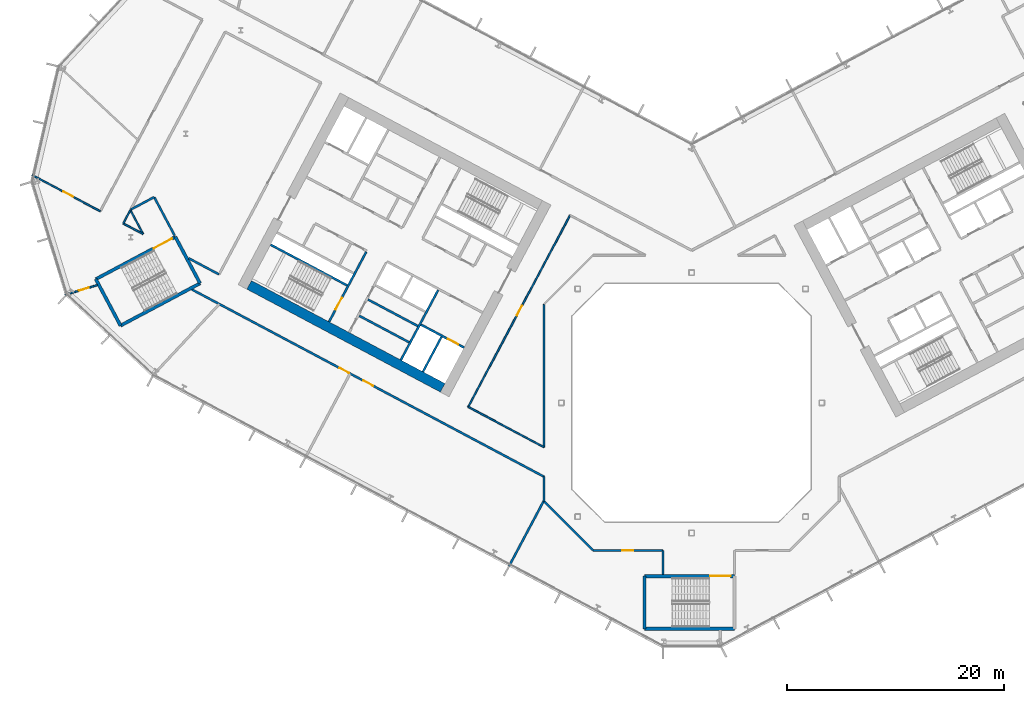
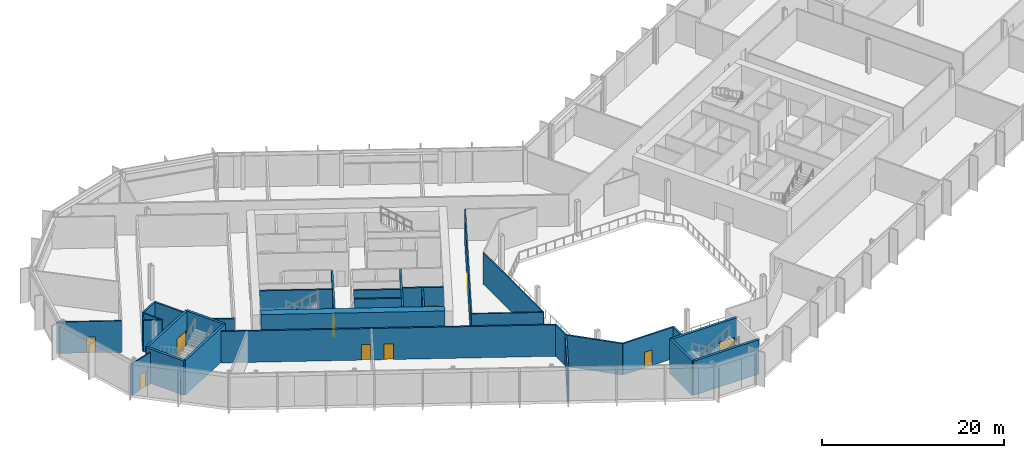
# One storey, part 13 of 32: 32 walls, 10 doors, 10 openings.
"""IFC4 building model written with IfcOpenShell, lengths in metres."""

from ifc_helpers import new_model, si_unit, direction, frame, frame_2d, origin, place, context, subcontext, project, spatial, rectangle, extrude, material, layer, layer_set, type_object, element, fill, save


model = new_model("IFC4")

# Units and contexts
model_context = context("Model", 3, precision=1e-05, world=origin(), true_north=direction((0.0, 1.0)))
body_context = subcontext(model_context, "Body", "Model", "MODEL_VIEW")
ifc_project = project(units=[si_unit("LENGTHUNIT", "METRE"), si_unit("AREAUNIT", "SQUARE_METRE"), si_unit("VOLUMEUNIT", "CUBIC_METRE"), si_unit("PLANEANGLEUNIT", "RADIAN"), si_unit("MASSUNIT", "GRAM", prefix="KILO")], contexts=[model_context])

# Site, building, storey
site_placement = place(None, origin())
site = spatial("IfcSite", under=ifc_project, at=site_placement, CompositionType="ELEMENT")
building_placement = place(site_placement, origin())
building = spatial("IfcBuilding", under=site, at=building_placement, Name="Cormorant Relay Tower", CompositionType="ELEMENT")
storey_placement = place(building_placement, frame((0.0, 0.0, 70.800048828125)))
storey = spatial("IfcBuildingStorey", under=building, at=storey_placement, Name="L13", CompositionType="ELEMENT", Elevation=70.800048828125)

# Walls
ifc_material_1 = material(Name="Concrete 40 MPa", Category="concrete")
ifc_layer_1 = layer(ifc_material_1, 0.199951171875)
ifc_layer_set_1 = layer_set([ifc_layer_1], Name="Core internal wall 200")
wall_type_1 = type_object("IfcWallType", Name="Core internal wall 200", PredefinedType="SOLIDWALL", material=ifc_layer_set_1)
for number, where, z_axis, x_axis, name in (
    (1, (-25.232421875, 7.073974609375, 0.0), (0.0, 0.0, 1.0), (-0.882953967957, 0.469459572775, 0.0), "L13 core A shaft and room wall"),
    (2, (-26.030517578125, 5.572998046875, 0.0), (0.0, 0.0, 1.0), (-0.882953967957, 0.469459572775, 0.0), "L13 core A shaft and room wall"),
):
    element("IfcWall", number, at=place(storey_placement, frame(where, z_axis=z_axis, x_axis=x_axis)), inside=storey, type_object=wall_type_1, Name=name, PredefinedType="SOLIDWALL", context=body_context, shape_type="SweptSolid", body=[
        extrude(rectangle(XDim=5.199951171875, YDim=0.199951171875, at=frame_2d((2.60009765625, 0.0))), origin(), (0.0, 0.0, 1.0), 4.599853515625),
    ])
ifc_material_2 = material(Name="Concrete 50 MPa", Category="concrete")
ifc_layer_2 = layer(ifc_material_2, 0.199951171875)
ifc_layer_set_2 = layer_set([ifc_layer_2], Name="Core shaft wall 200")
wall_type_2 = type_object("IfcWallType", Name="Core shaft wall 200", PredefinedType="SHEAR", material=ifc_layer_set_2)
wall_1_placement = place(storey_placement, frame((-23.04296875, 6.07958984375, 0.0), z_axis=(0.0, 0.0, 1.0), x_axis=(-0.469494272526, -0.882935517501, 0.0)))
element("IfcWall", 3, at=wall_1_placement, inside=storey, type_object=wall_type_2, Name="L13 core A shaft wall", PredefinedType="SHEAR", context=body_context, shape_type="SweptSolid", body=[
    extrude(rectangle(XDim=3.64990234375, YDim=0.199951171875, at=frame_2d((1.824951171875, 0.0))), origin(), (0.0, 0.0, 1.0), 4.599853515625),
])
wall_2_placement = place(storey_placement, frame((-23.360107421875, 10.38232421875, 0.0), z_axis=(0.0, 0.0, 1.0), x_axis=(-0.469480409012, -0.88294288918, 0.0)))
element("IfcWall", 4, at=wall_2_placement, inside=storey, type_object=wall_type_2, Name="L13 core A shaft wall", PredefinedType="SHEAR", context=body_context, shape_type="SweptSolid", body=[
    extrude(rectangle(XDim=7.300048828125, YDim=0.199951171875, at=frame_2d((3.64990234375, 0.0))), origin(), (0.0, 0.0, 1.0), 4.599853515625),
])

# Wall, opening, door
wall_3_placement = place(storey_placement, frame((-29.982421875, 13.9033203125, 0.0), z_axis=(0.0, 0.0, 1.0), x_axis=(-0.469454336211, -0.882956752176, 0.0)))
wall_3 = element("IfcWall", 5, at=wall_3_placement, inside=storey, type_object=wall_type_2, Name="L13 core A shaft wall", PredefinedType="SHEAR", context=body_context, shape_type="SweptSolid", body=[
    extrude(rectangle(XDim=7.300048828125, YDim=0.199951171875, at=frame_2d((3.64990234375, 0.0))), origin(), (0.0, 0.0, 1.0), 4.599853515625),
])
opening_1_placement = place(wall_3_placement, frame((4.800048828125, 0.0, 0.0)))
opening_1 = element("IfcOpeningElement", 6, at=opening_1_placement, cuts=wall_3, Name="Opening CDB-025", PredefinedType="OPENING", context=body_context, shape_type="SweptSolid", body=[
    extrude(rectangle(XDim=1.199951171875, YDim=2.10009765625, at=frame_2d((0.60009765625, 1.050048828125))), frame((0.0, 0.10986328125, 0.0), z_axis=(0.0, -1.0, 0.0), x_axis=(1.0, 0.0, 0.0)), (0.0, 0.0, 1.0), 0.219970703125),
])
ifc_material_3 = material(Name="Steel fire door", Category="steel")
door_type_1 = type_object("IfcDoorType", Name="Core stair door 1200x2100", OperationType="SINGLE_SWING_LEFT", PredefinedType="DOOR", material=ifc_material_3)
door_1_placement = place(opening_1_placement, frame((1.199951171875, 0.0, 0.0), z_axis=(0.0, 0.0, 1.0), x_axis=(-1.0, 0.0, 0.0)))
door_1 = element("IfcDoor", 7, at=door_1_placement, inside=storey, type_object=door_type_1, Name="Core stair door 1200x2100", OperationType="SINGLE_SWING_RIGHT", OverallHeight=2.10009765625, OverallWidth=1.199951171875, PredefinedType="DOOR", context=body_context, shape_type="SweptSolid", body=[
    extrude(rectangle(XDim=1.199951171875, YDim=2.10009765625, at=frame_2d((0.60009765625, 1.050048828125))), frame((0.0, 0.02490234375, 0.0), z_axis=(0.0, -1.0, 0.0), x_axis=(1.0, 0.0, 0.0)), (0.0, 0.0, 1.0), 0.050048828125),
])
fill(opening_1, door_1)

wall_4_placement = place(storey_placement, frame((-20.96533203125, 5.088134765625, 0.0), z_axis=(0.0, 0.0, 1.0), x_axis=(-0.882925986334, 0.469512196493, 0.0)))
wall_4 = element("IfcWall", 8, at=wall_4_placement, inside=storey, type_object=wall_type_2, Name="L13 core A shaft wall", PredefinedType="SHEAR", context=body_context, shape_type="SweptSolid", body=[
    extrude(rectangle(XDim=4.5, YDim=0.199951171875, at=frame_2d((2.25, 0.0))), origin(), (0.0, 0.0, 1.0), 4.599853515625),
])
opening_2_placement = place(wall_4_placement, frame((0.60009765625, 0.0, 0.0)))
opening_2 = element("IfcOpeningElement", 9, at=opening_2_placement, cuts=wall_4, Name="Opening LD1-027", PredefinedType="OPENING", context=body_context, shape_type="SweptSolid", body=[
    extrude(rectangle(XDim=1.10009765625, YDim=2.10009765625, at=frame_2d((0.550048828125, 1.050048828125))), frame((0.0, 0.10986328125, 0.0), z_axis=(0.0, -1.0, 0.0), x_axis=(1.0, 0.0, 0.0)), (0.0, 0.0, 1.0), 0.219970703125),
])
ifc_material_4 = material(Name="Stainless steel 316", Category="steel")
door_type_2 = type_object("IfcDoorType", Name="Lift landing door 1100x2100", OperationType="DOUBLE_DOOR_SLIDING", PredefinedType="DOOR", material=ifc_material_4)
door_2_placement = place(opening_2_placement, origin())
door_2 = element("IfcDoor", 10, at=door_2_placement, inside=storey, type_object=door_type_2, Name="FF1 landing door", OperationType="DOUBLE_DOOR_SLIDING", OverallHeight=2.10009765625, OverallWidth=1.10009765625, PredefinedType="DOOR", context=body_context, shape_type="SweptSolid", body=[
    extrude(rectangle(XDim=1.10009765625, YDim=2.10009765625, at=frame_2d((0.550048828125, 1.050048828125))), frame((0.0, 0.02490234375, 0.0), z_axis=(0.0, -1.0, 0.0), x_axis=(1.0, 0.0, 0.0)), (0.0, 0.0, 1.0), 0.050048828125),
])
fill(opening_2, door_2)

# Walls
wall_5_placement = place(storey_placement, frame((-31.7373046875, 10.815673828125, 0.0), z_axis=(0.0, 0.0, 1.0), x_axis=(-0.882940221191, 0.469485426614, 0.0)))
element("IfcWall", 11, at=wall_5_placement, inside=storey, type_object=wall_type_2, Name="L13 core A shaft wall", PredefinedType="SHEAR", context=body_context, shape_type="SweptSolid", body=[
    extrude(rectangle(XDim=8.0, YDim=0.199951171875, at=frame_2d((4.0, 0.0))), origin(), (0.0, 0.0, 1.0), 4.599853515625),
])
ifc_material_5 = material(Name="Concrete 70 MPa", Category="concrete")
ifc_layer_3 = layer(ifc_material_5, 0.89990234375)
ifc_layer_set_3 = layer_set([ifc_layer_3], Name="Core wall 900")
wall_type_3 = type_object("IfcWallType", Name="Core wall 900", PredefinedType="SHEAR", material=ifc_layer_set_3)
wall_6_placement = place(storey_placement, frame((-22.93701171875, 1.3798828125, 0.0), z_axis=(0.0, 0.0, 1.0), x_axis=(-0.88295276571, 0.46946183394, 0.0)))
element("IfcWall", 12, at=wall_6_placement, inside=storey, type_object=wall_type_3, Name="L13 core A wall", PredefinedType="SHEAR", context=body_context, shape_type="SweptSolid", body=[
    extrude(rectangle(XDim=20.199951171875, YDim=0.89990234375, at=frame_2d((10.10009765625, 0.0))), origin(), (0.0, 0.0, 1.0), 4.599853515625),
])
ifc_material_6 = material(Name="Fire-rated gypsum board partition")
ifc_layer_4 = layer(ifc_material_6, 0.199951171875)
ifc_layer_set_4 = layer_set([ifc_layer_4], Name="Fire-rated gypsum partition 200")
wall_type_4 = type_object("IfcWallType", Name="Fire-rated gypsum partition 200", PredefinedType="PARTITIONING", material=ifc_layer_set_4)
wall_7_placement = place(storey_placement, frame((-47.63720703125, 15.40869140625, 0.0), z_axis=(0.0, 0.0, 1.0), x_axis=(-0.469590790968, 0.882884187783, 0.0)))
element("IfcWall", 13, at=wall_7_placement, inside=storey, type_object=wall_type_4, Name="wall/L13/part/10", PredefinedType="PARTITIONING", context=body_context, shape_type="SweptSolid", body=[
    extrude(rectangle(XDim=4.015625, YDim=0.199951171875, at=frame_2d((2.0078125, 0.0))), origin(), (0.0, 0.0, 1.0), 4.199951171875),
])
wall_8_placement = place(storey_placement, frame((-49.52294921875, 18.9541015625, 0.0), z_axis=(0.0, 0.0, 1.0), x_axis=(-0.882767334528, -0.469810422501, 0.0)))
element("IfcWall", 14, at=wall_8_placement, inside=storey, type_object=wall_type_4, Name="wall/L13/part/11", PredefinedType="PARTITIONING", context=body_context, shape_type="SweptSolid", body=[
    extrude(rectangle(XDim=2.460693359375, YDim=0.199951171875, at=frame_2d((1.23046875, 0.0))), origin(), (0.0, 0.0, 1.0), 4.199951171875),
])
wall_9_placement = place(storey_placement, frame((-43.5439453125, 11.826904296875, 0.0), z_axis=(0.0, 0.0, 1.0), x_axis=(-0.88289413979, 0.469572079584, 0.0)))
element("IfcWall", 15, at=wall_9_placement, inside=storey, type_object=wall_type_4, Name="wall/L13/part/15", PredefinedType="PARTITIONING", context=body_context, shape_type="SweptSolid", body=[
    extrude(rectangle(XDim=3.16845703125, YDim=0.199951171875, at=frame_2d((1.584228515625, 0.0))), origin(), (0.0, 0.0, 1.0), 4.199951171875),
])
wall_10_placement = place(storey_placement, frame((-13.60009765625, -9.076904296875, 0.0), z_axis=(0.0, 0.0, 1.0), x_axis=(0.0, 1.0, 0.0)))
element("IfcWall", 16, at=wall_10_placement, inside=storey, type_object=wall_type_4, Name="wall/L13/part/16", PredefinedType="PARTITIONING", context=body_context, shape_type="SweptSolid", body=[
    extrude(rectangle(XDim=2.263916015625, YDim=0.199951171875, at=frame_2d((1.1318359375, 0.0))), origin(), (0.0, 0.0, 1.0), 4.199951171875),
])

# Wall, openings, doors
wall_11_placement = place(storey_placement, frame((-13.60009765625, -6.81298828125, 0.0), z_axis=(0.0, 0.0, 1.0), x_axis=(-0.882934546757, 0.469496098113, 0.0)))
wall_11 = element("IfcWall", 17, at=wall_11_placement, inside=storey, type_object=wall_type_4, Name="wall/L13/part/17", PredefinedType="PARTITIONING", context=body_context, shape_type="SweptSolid", body=[
    extrude(rectangle(XDim=36.757568359375, YDim=0.199951171875, at=frame_2d((18.37890625, 0.0))), origin(), (0.0, 0.0, 1.0), 4.199951171875),
])
opening_3_placement = place(wall_11_placement, frame((20.35009765625, 0.0, 0.0)))
opening_3 = element("IfcOpeningElement", 18, at=opening_3_placement, cuts=wall_11, Name="Opening FD1-081", PredefinedType="OPENING", context=body_context, shape_type="SweptSolid", body=[
    extrude(rectangle(XDim=1.0, YDim=2.10009765625, at=frame_2d((0.5, 1.050048828125))), frame((0.0, 0.10986328125, 0.0), z_axis=(0.0, -1.0, 0.0), x_axis=(1.0, 0.0, 0.0)), (0.0, 0.0, 1.0), 0.219970703125),
])
opening_4_placement = place(wall_11_placement, frame((17.85009765625, 0.0, 0.0)))
opening_4 = element("IfcOpeningElement", 19, at=opening_4_placement, cuts=wall_11, Name="Opening FD1-082", PredefinedType="OPENING", context=body_context, shape_type="SweptSolid", body=[
    extrude(rectangle(XDim=1.0, YDim=2.10009765625, at=frame_2d((0.5, 1.050048828125))), frame((0.0, 0.10986328125, 0.0), z_axis=(0.0, -1.0, 0.0), x_axis=(1.0, 0.0, 0.0)), (0.0, 0.0, 1.0), 0.219970703125),
])
ifc_material_7 = material(Name="Fire-rated steel door", Category="steel")
door_type_3 = type_object("IfcDoorType", Name="Fire door 1000 x 2100", OperationType="SINGLE_SWING_LEFT", PredefinedType="DOOR", material=ifc_material_7)
door_3_placement = place(opening_3_placement, origin())
door_3 = element("IfcDoor", 20, at=door_3_placement, inside=storey, type_object=door_type_3, Name="door/L13/18", OperationType="SINGLE_SWING_LEFT", OverallHeight=2.10009765625, OverallWidth=1.0, PredefinedType="DOOR", context=body_context, shape_type="SweptSolid", body=[
    extrude(rectangle(XDim=1.0, YDim=2.10009765625, at=frame_2d((0.5, 1.050048828125))), frame((0.0, 0.02490234375, 0.0), z_axis=(0.0, -1.0, 0.0), x_axis=(1.0, 0.0, 0.0)), (0.0, 0.0, 1.0), 0.050048828125),
])
fill(opening_3, door_3)
door_4_placement = place(opening_4_placement, origin())
door_4 = element("IfcDoor", 21, at=door_4_placement, inside=storey, type_object=door_type_3, Name="door/L13/19", OperationType="SINGLE_SWING_RIGHT", OverallHeight=2.10009765625, OverallWidth=1.0, PredefinedType="DOOR", context=body_context, shape_type="SweptSolid", body=[
    extrude(rectangle(XDim=1.0, YDim=2.10009765625, at=frame_2d((0.5, 1.050048828125))), frame((0.0, 0.02490234375, 0.0), z_axis=(0.0, -1.0, 0.0), x_axis=(1.0, 0.0, 0.0)), (0.0, 0.0, 1.0), 0.050048828125),
])
fill(opening_4, door_4)

# Walls
wall_12_placement = place(storey_placement, frame((-13.60009765625, -8.998046875, 0.0), z_axis=(0.0, 0.0, 1.0), x_axis=(-0.469531053644, -0.882915958438, 0.0)))
element("IfcWall", 22, at=wall_12_placement, inside=storey, type_object=wall_type_4, Name="wall/L13/part/20", PredefinedType="PARTITIONING", context=body_context, shape_type="SweptSolid", body=[
    extrude(rectangle(XDim=6.870361328125, YDim=0.199951171875, at=frame_2d((3.43505859375, 0.0))), origin(), (0.0, 0.0, 1.0), 4.199951171875),
])
wall_13_placement = place(storey_placement, frame((-13.60009765625, -9.076904296875, 0.0), z_axis=(0.0, 0.0, 1.0), x_axis=(0.707106781187, -0.707106781187, 0.0)))
element("IfcWall", 23, at=wall_13_placement, inside=storey, type_object=wall_type_4, Name="wall/L13/part/23", PredefinedType="PARTITIONING", context=body_context, shape_type="SweptSolid", body=[
    extrude(rectangle(XDim=6.396728515625, YDim=0.199951171875, at=frame_2d((3.1982421875, 0.0))), origin(), (0.0, 0.0, 1.0), 4.199951171875),
])
wall_14_placement = place(storey_placement, frame((-2.64892578125, -15.840087890625, 0.0), z_axis=(0.0, 0.0, 1.0), x_axis=(0.0, 1.0, 0.0)))
element("IfcWall", 24, at=wall_14_placement, inside=storey, type_object=wall_type_4, Name="wall/L13/part/25", PredefinedType="PARTITIONING", context=body_context, shape_type="SweptSolid", body=[
    extrude(rectangle(XDim=2.239990234375, YDim=0.199951171875, at=frame_2d((1.1201171875, 0.0))), origin(), (0.0, 0.0, 1.0), 4.199951171875),
])

# Wall, opening, door
wall_15_placement = place(storey_placement, frame((-2.64892578125, -13.60009765625, 0.0), z_axis=(0.0, 0.0, 1.0), x_axis=(-1.0, 0.0, 0.0)))
wall_15 = element("IfcWall", 25, at=wall_15_placement, inside=storey, type_object=wall_type_4, Name="wall/L13/part/26", PredefinedType="PARTITIONING", context=body_context, shape_type="SweptSolid", body=[
    extrude(rectangle(XDim=6.427978515625, YDim=0.199951171875, at=frame_2d((3.2138671875, 0.0))), origin(), (0.0, 0.0, 1.0), 4.199951171875),
])
opening_5_placement = place(wall_15_placement, frame((2.75, 0.0, 0.0)))
opening_5 = element("IfcOpeningElement", 26, at=opening_5_placement, cuts=wall_15, Name="Opening FD1-083", PredefinedType="OPENING", context=body_context, shape_type="SweptSolid", body=[
    extrude(rectangle(XDim=1.0, YDim=2.10009765625, at=frame_2d((0.5, 1.050048828125))), frame((0.0, 0.10986328125, 0.0), z_axis=(0.0, -1.0, 0.0), x_axis=(1.0, 0.0, 0.0)), (0.0, 0.0, 1.0), 0.219970703125),
])
door_5_placement = place(opening_5_placement, origin())
door_5 = element("IfcDoor", 27, at=door_5_placement, inside=storey, type_object=door_type_3, Name="door/L13/20", OperationType="SINGLE_SWING_LEFT", OverallHeight=2.10009765625, OverallWidth=1.0, PredefinedType="DOOR", context=body_context, shape_type="SweptSolid", body=[
    extrude(rectangle(XDim=1.0, YDim=2.10009765625, at=frame_2d((0.5, 1.050048828125))), frame((0.0, 0.02490234375, 0.0), z_axis=(0.0, -1.0, 0.0), x_axis=(1.0, 0.0, 0.0)), (0.0, 0.0, 1.0), 0.050048828125),
])
fill(opening_5, door_5)

ifc_material_8 = material(Name="Gypsum board partition")
ifc_layer_5 = layer(ifc_material_8, 0.14990234375)
ifc_layer_set_5 = layer_set([ifc_layer_5], Name="Gypsum board partition 150")
wall_type_5 = type_object("IfcWallType", Name="Gypsum board partition 150", PredefinedType="PARTITIONING", material=ifc_layer_set_5)
wall_16_placement = place(storey_placement, frame((-54.492919921875, 17.64892578125, 0.0), z_axis=(0.0, 0.0, 1.0), x_axis=(-0.882938254124, 0.469489125971, 0.0)))
wall_16 = element("IfcWall", 28, at=wall_16_placement, inside=storey, type_object=wall_type_5, Name="wall/L13/part/4", PredefinedType="PARTITIONING", context=body_context, shape_type="SweptSolid", body=[
    extrude(rectangle(XDim=7.127197265625, YDim=0.14990234375, at=frame_2d((3.5634765625, 0.0))), origin(), (0.0, 0.0, 1.0), 4.199951171875),
])
opening_6_placement = place(wall_16_placement, frame((2.85009765625, 0.0, 0.0)))
opening_6 = element("IfcOpeningElement", 29, at=opening_6_placement, cuts=wall_16, Name="Opening D1-029", PredefinedType="OPENING", context=body_context, shape_type="SweptSolid", body=[
    extrude(rectangle(XDim=1.0, YDim=2.10009765625, at=frame_2d((0.5, 1.050048828125))), frame((0.0, 0.0849609375, 0.0), z_axis=(0.0, -1.0, 0.0), x_axis=(1.0, 0.0, 0.0)), (0.0, 0.0, 1.0), 0.169921875),
])
ifc_material_9 = material(Name="Painted steel door", Category="steel")
door_type_4 = type_object("IfcDoorType", Name="Single door 1000 x 2100", OperationType="SINGLE_SWING_LEFT", PredefinedType="DOOR", material=ifc_material_9)
door_6_placement = place(opening_6_placement, frame((1.0, 0.0, 0.0), z_axis=(0.0, 0.0, 1.0), x_axis=(-1.0, 0.0, 0.0)))
door_6 = element("IfcDoor", 30, at=door_6_placement, inside=storey, type_object=door_type_4, Name="door/L13/2", OperationType="SINGLE_SWING_RIGHT", OverallHeight=2.10009765625, OverallWidth=1.0, PredefinedType="DOOR", context=body_context, shape_type="SweptSolid", body=[
    extrude(rectangle(XDim=1.0, YDim=2.10009765625, at=frame_2d((0.5, 1.050048828125))), frame((0.0, 0.02490234375, 0.0), z_axis=(0.0, -1.0, 0.0), x_axis=(1.0, 0.0, 0.0)), (0.0, 0.0, 1.0), 0.050048828125),
])
fill(opening_6, door_6)

wall_17_placement = place(storey_placement, frame((-54.7607421875, 10.847900390625, 0.0), z_axis=(0.0, 0.0, 1.0), x_axis=(-0.956301064033, -0.29238378021, 0.0)))
wall_17 = element("IfcWall", 31, at=wall_17_placement, inside=storey, type_object=wall_type_5, Name="wall/L13/part/5", PredefinedType="PARTITIONING", context=body_context, shape_type="SweptSolid", body=[
    extrude(rectangle(XDim=3.115478515625, YDim=0.14990234375, at=frame_2d((1.5576171875, 0.0))), origin(), (0.0, 0.0, 1.0), 4.199951171875),
])
opening_7_placement = place(wall_17_placement, frame((0.820068359375, 0.0, 0.0)))
opening_7 = element("IfcOpeningElement", 32, at=opening_7_placement, cuts=wall_17, Name="Opening D2-012", PredefinedType="OPENING", context=body_context, shape_type="SweptSolid", body=[
    extrude(rectangle(XDim=0.949951171875, YDim=2.10009765625, at=frame_2d((0.47509765625, 1.050048828125))), frame((0.0, 0.0849609375, 0.0), z_axis=(0.0, -1.0, 0.0), x_axis=(1.0, 0.0, 0.0)), (0.0, 0.0, 1.0), 0.169921875),
])
ifc_material_10 = material(Name="Timber door", Category="wood")
door_type_5 = type_object("IfcDoorType", Name="Toilet door 950 x 2100", OperationType="SINGLE_SWING_LEFT", PredefinedType="DOOR", material=ifc_material_10)
door_7_placement = place(opening_7_placement, origin())
door_7 = element("IfcDoor", 33, at=door_7_placement, inside=storey, type_object=door_type_5, Name="door/L13/17", OperationType="SINGLE_SWING_RIGHT", OverallHeight=2.10009765625, OverallWidth=0.949951171875, PredefinedType="DOOR", context=body_context, shape_type="SweptSolid", body=[
    extrude(rectangle(XDim=0.949951171875, YDim=2.10009765625, at=frame_2d((0.47509765625, 1.050048828125))), frame((0.0, 0.02490234375, 0.0), z_axis=(0.0, -1.0, 0.0), x_axis=(1.0, 0.0, 0.0)), (0.0, 0.0, 1.0), 0.050048828125),
])
fill(opening_7, door_7)

# Walls
wall_18_placement = place(storey_placement, frame((-51.717041015625, 17.757080078125, 0.0), z_axis=(0.0, 0.0, 1.0), x_axis=(-0.469618761384, -0.882869310236, 0.0)))
element("IfcWall", 34, at=wall_18_placement, inside=storey, type_object=wall_type_5, Name="wall/L13/part/52", PredefinedType="PARTITIONING", context=body_context, shape_type="SweptSolid", body=[
    extrude(rectangle(XDim=1.39892578125, YDim=0.14990234375, at=frame_2d((0.699462890625, 0.0))), origin(), (0.0, 0.0, 1.0), 4.199951171875),
])
wall_19_placement = place(storey_placement, frame((-52.3740234375, 16.52197265625, 0.0), z_axis=(0.0, 0.0, 1.0), x_axis=(0.882981472085, -0.469407839682, 0.0)))
element("IfcWall", 35, at=wall_19_placement, inside=storey, type_object=wall_type_5, Name="wall/L13/part/53", PredefinedType="PARTITIONING", context=body_context, shape_type="SweptSolid", body=[
    extrude(rectangle(XDim=2.072509765625, YDim=0.14990234375, at=frame_2d((1.0361328125, 0.0))), origin(), (0.0, 0.0, 1.0), 4.199951171875),
])
wall_20_placement = place(storey_placement, frame((-50.5439453125, 15.549072265625, 0.0), z_axis=(0.0, 0.0, 1.0), x_axis=(-0.469183782948, 0.883100547967, 0.0)))
element("IfcWall", 36, at=wall_20_placement, inside=storey, type_object=wall_type_5, Name="wall/L13/part/54", PredefinedType="PARTITIONING", context=body_context, shape_type="SweptSolid", body=[
    extrude(rectangle(XDim=2.500244140625, YDim=0.14990234375, at=frame_2d((1.25, 0.0))), origin(), (0.0, 0.0, 1.0), 4.199951171875),
])

# Wall, opening, door
wall_21_placement = place(storey_placement, frame((-20.587890625, -0.37890625, 0.0), z_axis=(0.0, 0.0, 1.0), x_axis=(0.469489882812, 0.882937851685, 0.0)))
wall_21 = element("IfcWall", 37, at=wall_21_placement, inside=storey, type_object=wall_type_5, Name="wall/L13/part/55", PredefinedType="PARTITIONING", context=body_context, shape_type="SweptSolid", body=[
    extrude(rectangle(XDim=20.000244140625, YDim=0.14990234375, at=frame_2d((10.0, 0.0))), origin(), (0.0, 0.0, 1.0), 4.199951171875),
])
opening_8_placement = place(wall_21_placement, frame((9.550048828125, 0.0, 0.0)))
opening_8 = element("IfcOpeningElement", 38, at=opening_8_placement, cuts=wall_21, Name="Opening D1-031", PredefinedType="OPENING", context=body_context, shape_type="SweptSolid", body=[
    extrude(rectangle(XDim=1.0, YDim=2.10009765625, at=frame_2d((0.5, 1.050048828125))), frame((0.0, 0.0849609375, 0.0), z_axis=(0.0, -1.0, 0.0), x_axis=(1.0, 0.0, 0.0)), (0.0, 0.0, 1.0), 0.169921875),
])
door_8_placement = place(opening_8_placement, frame((1.0, 0.0, 0.0), z_axis=(0.0, 0.0, 1.0), x_axis=(-1.0, 0.0, 0.0)))
door_8 = element("IfcDoor", 39, at=door_8_placement, inside=storey, type_object=door_type_4, Name="door/L13/4", OperationType="SINGLE_SWING_LEFT", OverallHeight=2.10009765625, OverallWidth=1.0, PredefinedType="DOOR", context=body_context, shape_type="SweptSolid", body=[
    extrude(rectangle(XDim=1.0, YDim=2.10009765625, at=frame_2d((0.5, 1.050048828125))), frame((0.0, 0.02490234375, 0.0), z_axis=(0.0, -1.0, 0.0), x_axis=(1.0, 0.0, 0.0)), (0.0, 0.0, 1.0), 0.050048828125),
])
fill(opening_8, door_8)

# Walls
wall_22_placement = place(storey_placement, frame((-13.60009765625, 9.076904296875, 0.0), z_axis=(0.0, 0.0, 1.0), x_axis=(0.0, -1.0, 0.0)))
element("IfcWall", 40, at=wall_22_placement, inside=storey, type_object=wall_type_5, Name="wall/L13/part/59", PredefinedType="PARTITIONING", context=body_context, shape_type="SweptSolid", body=[
    extrude(rectangle(XDim=13.1708984375, YDim=0.14990234375, at=frame_2d((6.58544921875, 0.0))), origin(), (0.0, 0.0, 1.0), 4.199951171875),
])
wall_23_placement = place(storey_placement, frame((-13.60009765625, -4.093994140625, 0.0), z_axis=(0.0, 0.0, 1.0), x_axis=(-0.882967890474, 0.469433386533, 0.0)))
element("IfcWall", 41, at=wall_23_placement, inside=storey, type_object=wall_type_5, Name="wall/L13/part/60", PredefinedType="PARTITIONING", context=body_context, shape_type="SweptSolid", body=[
    extrude(rectangle(XDim=7.9140625, YDim=0.14990234375, at=frame_2d((3.95703125, 0.0))), origin(), (0.0, 0.0, 1.0), 4.199951171875),
])
ifc_material_11 = material(Name="Concrete 50 MPa", Category="concrete")
ifc_layer_6 = layer(ifc_material_11, 0.300048828125)
ifc_layer_set_6 = layer_set([ifc_layer_6], Name="Remote stair wall 300")
wall_type_6 = type_object("IfcWallType", Name="Remote stair wall 300", PredefinedType="SHEAR", material=ifc_layer_set_6)
wall_24_placement = place(storey_placement, frame((3.949951171875, -20.824951171875, 0.0), z_axis=(0.0, 0.0, 1.0), x_axis=(-1.0, 0.0, 0.0)))
element("IfcWall", 42, at=wall_24_placement, inside=storey, type_object=wall_type_6, Name="L13 exit stair RK1 wall", PredefinedType="SHEAR", context=body_context, shape_type="SweptSolid", body=[
    extrude(rectangle(XDim=8.300048828125, YDim=0.300048828125, at=frame_2d((4.14990234375, 0.0))), origin(), (0.0, 0.0, 1.0), 4.599853515625),
])
wall_25_placement = place(storey_placement, frame((-4.35009765625, -20.824951171875, 0.0), z_axis=(0.0, 0.0, 1.0), x_axis=(0.0, 1.0, 0.0)))
element("IfcWall", 43, at=wall_25_placement, inside=storey, type_object=wall_type_6, Name="L13 exit stair RK1 wall", PredefinedType="SHEAR", context=body_context, shape_type="SweptSolid", body=[
    extrude(rectangle(XDim=4.849853515625, YDim=0.300048828125, at=frame_2d((2.4248046875, 0.0))), origin(), (0.0, 0.0, 1.0), 4.599853515625),
])

# Wall, opening, door
wall_26_placement = place(storey_placement, frame((-4.35009765625, -15.97509765625, 0.0), z_axis=(0.0, 0.0, 1.0), x_axis=(1.0, 0.0, 0.0)))
wall_26 = element("IfcWall", 44, at=wall_26_placement, inside=storey, type_object=wall_type_6, Name="L13 exit stair RK1 wall", PredefinedType="SHEAR", context=body_context, shape_type="SweptSolid", body=[
    extrude(rectangle(XDim=8.300048828125, YDim=0.300048828125, at=frame_2d((4.14990234375, 0.0))), origin(), (0.0, 0.0, 1.0), 4.599853515625),
])
opening_9_placement = place(wall_26_placement, frame((6.050048828125, 0.0, 0.0)))
opening_9 = element("IfcOpeningElement", 45, at=opening_9_placement, cuts=wall_26, Name="Opening CDE-008", PredefinedType="OPENING", context=body_context, shape_type="SweptSolid", body=[
    extrude(rectangle(XDim=1.89990234375, YDim=2.10009765625, at=frame_2d((0.949951171875, 1.050048828125))), frame((0.0, 0.159912109375, 0.0), z_axis=(0.0, -1.0, 0.0), x_axis=(1.0, 0.0, 0.0)), (0.0, 0.0, 1.0), 0.320068359375),
])
ifc_material_12 = material(Name="Steel fire door", Category="steel")
door_type_6 = type_object("IfcDoorType", Name="Remote stair door 1900x2100", OperationType="DOUBLE_DOOR_SINGLE_SWING", PredefinedType="DOOR", material=ifc_material_12)
door_9_placement = place(opening_9_placement, frame((1.89990234375, 0.0, 0.0), z_axis=(0.0, 0.0, 1.0), x_axis=(-1.0, 0.0, 0.0)))
door_9 = element("IfcDoor", 46, at=door_9_placement, inside=storey, type_object=door_type_6, Name="Exit stair RK1 door", OperationType="DOUBLE_DOOR_SINGLE_SWING", OverallHeight=2.10009765625, OverallWidth=1.89990234375, PredefinedType="DOOR", context=body_context, shape_type="SweptSolid", body=[
    extrude(rectangle(XDim=1.89990234375, YDim=2.10009765625, at=frame_2d((0.949951171875, 1.050048828125))), frame((0.0, 0.02490234375, 0.0), z_axis=(0.0, -1.0, 0.0), x_axis=(1.0, 0.0, 0.0)), (0.0, 0.0, 1.0), 0.050048828125),
])
fill(opening_9, door_9)

# Walls
wall_27_placement = place(storey_placement, frame((-47.57421875, 15.28955078125, 0.0), z_axis=(0.0, 0.0, 1.0), x_axis=(0.469443498566, -0.882962514297, 0.0)))
element("IfcWall", 47, at=wall_27_placement, inside=storey, type_object=wall_type_6, Name="L13 exit stair RP1 wall", PredefinedType="SHEAR", context=body_context, shape_type="SweptSolid", body=[
    extrude(rectangle(XDim=4.85009765625, YDim=0.300048828125, at=frame_2d((2.425048828125, 0.0))), origin(), (0.0, 0.0, 1.0), 4.599853515625),
])
wall_28_placement = place(storey_placement, frame((-45.29736328125, 11.007080078125, 0.0), z_axis=(0.0, 0.0, 1.0), x_axis=(-0.882951519127, -0.469464178475, 0.0)))
element("IfcWall", 48, at=wall_28_placement, inside=storey, type_object=wall_type_6, Name="L13 exit stair RP1 wall", PredefinedType="SHEAR", context=body_context, shape_type="SweptSolid", body=[
    extrude(rectangle(XDim=8.2998046875, YDim=0.300048828125, at=frame_2d((4.14990234375, 0.0))), origin(), (0.0, 0.0, 1.0), 4.599853515625),
])
wall_29_placement = place(storey_placement, frame((-52.625732421875, 7.110595703125, 0.0), z_axis=(0.0, 0.0, 1.0), x_axis=(-0.469464364128, 0.882951420416, 0.0)))
element("IfcWall", 49, at=wall_29_placement, inside=storey, type_object=wall_type_6, Name="L13 exit stair RP1 wall", PredefinedType="SHEAR", context=body_context, shape_type="SweptSolid", body=[
    extrude(rectangle(XDim=4.849853515625, YDim=0.300048828125, at=frame_2d((2.4248046875, 0.0))), origin(), (0.0, 0.0, 1.0), 4.599853515625),
])

# Wall, opening, door
wall_30_placement = place(storey_placement, frame((-54.902587890625, 11.392822265625, 0.0), z_axis=(0.0, 0.0, 1.0), x_axis=(0.882939326045, 0.469487110071, 0.0)))
wall_30 = element("IfcWall", 50, at=wall_30_placement, inside=storey, type_object=wall_type_6, Name="L13 exit stair RP1 wall", PredefinedType="SHEAR", context=body_context, shape_type="SweptSolid", body=[
    extrude(rectangle(XDim=8.300048828125, YDim=0.300048828125, at=frame_2d((4.14990234375, 0.0))), origin(), (0.0, 0.0, 1.0), 4.599853515625),
])
opening_10_placement = place(wall_30_placement, frame((6.050048828125, 0.0, 0.0)))
opening_10 = element("IfcOpeningElement", 51, at=opening_10_placement, cuts=wall_30, Name="Opening CDE-009", PredefinedType="OPENING", context=body_context, shape_type="SweptSolid", body=[
    extrude(rectangle(XDim=1.89990234375, YDim=2.10009765625, at=frame_2d((0.949951171875, 1.050048828125))), frame((0.0, 0.159912109375, 0.0), z_axis=(0.0, -1.0, 0.0), x_axis=(1.0, 0.0, 0.0)), (0.0, 0.0, 1.0), 0.320068359375),
])
door_10_placement = place(opening_10_placement, frame((1.89990234375, 0.0, 0.0), z_axis=(0.0, 0.0, 1.0), x_axis=(-1.0, 0.0, 0.0)))
door_10 = element("IfcDoor", 52, at=door_10_placement, inside=storey, type_object=door_type_6, Name="Exit stair RP1 door", OperationType="DOUBLE_DOOR_SINGLE_SWING", OverallHeight=2.10009765625, OverallWidth=1.89990234375, PredefinedType="DOOR", context=body_context, shape_type="SweptSolid", body=[
    extrude(rectangle(XDim=1.89990234375, YDim=2.10009765625, at=frame_2d((0.949951171875, 1.050048828125))), frame((0.0, 0.02490234375, 0.0), z_axis=(0.0, -1.0, 0.0), x_axis=(1.0, 0.0, 0.0)), (0.0, 0.0, 1.0), 0.050048828125),
])
fill(opening_10, door_10)

save(model, "model.ifc")
